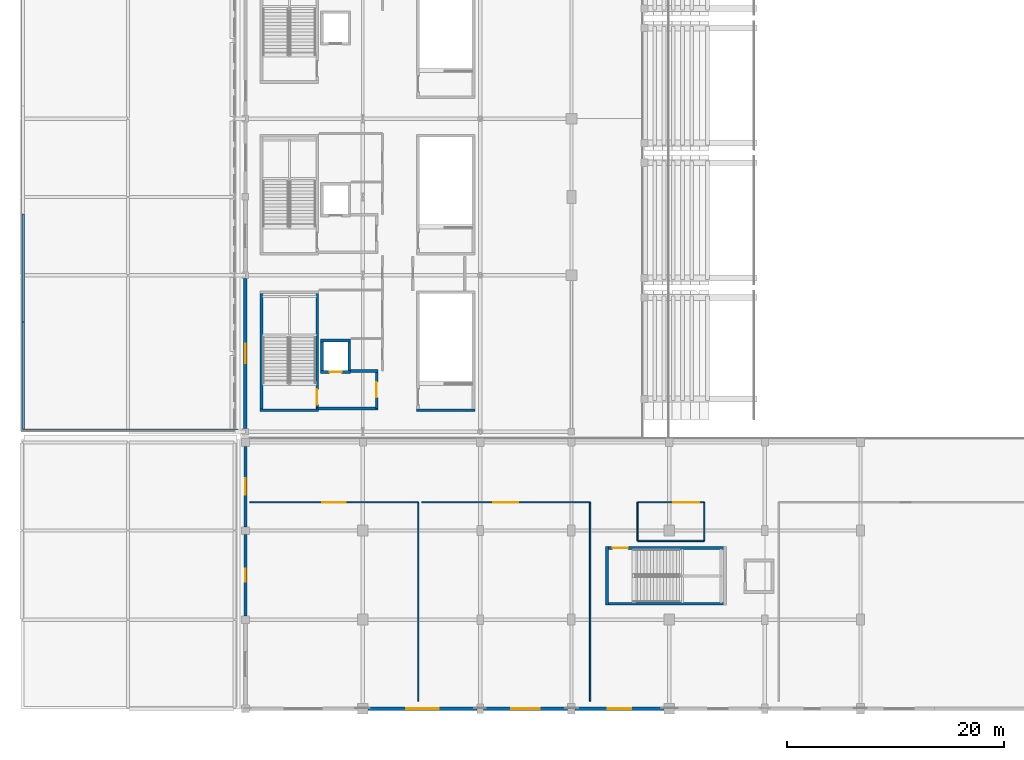
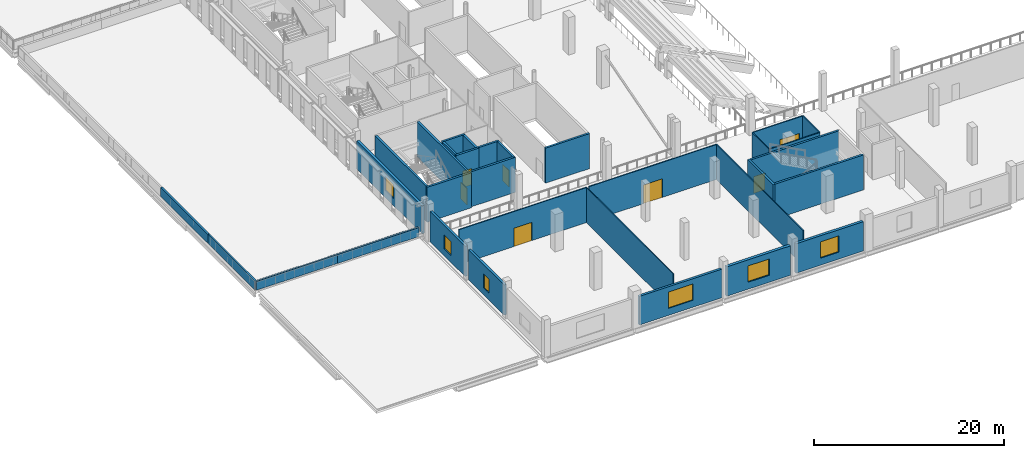
# One storey, part 28 of 74: 32 walls, 7 doors, 6 windows, 13 openings.
"""IFC4 building model written with IfcOpenShell, lengths in metres."""

from ifc_helpers import new_model, si_unit, direction, frame, frame_2d, origin, place, context, subcontext, project, spatial, rectangle, extrude, material, layer, layer_set, type_object, element, fill, save


model = new_model("IFC4")

# Units and contexts
model_context = context("Model", 3, precision=1e-05, world=origin(), true_north=direction((0.0, 1.0)))
body_context = subcontext(model_context, "Body", "Model", "MODEL_VIEW")
ifc_project = project(units=[si_unit("LENGTHUNIT", "METRE"), si_unit("AREAUNIT", "SQUARE_METRE"), si_unit("VOLUMEUNIT", "CUBIC_METRE"), si_unit("PLANEANGLEUNIT", "RADIAN"), si_unit("MASSUNIT", "GRAM", prefix="KILO")], contexts=[model_context])

# Site, building, storey
site_placement = place(None, origin())
site = spatial("IfcSite", under=ifc_project, at=site_placement, CompositionType="ELEMENT")
building_placement = place(site_placement, origin())
building = spatial("IfcBuilding", under=site, at=building_placement, Name="Koshinbarg Plaza Stadium", CompositionType="ELEMENT")
storey_placement = place(building_placement, frame((0.0, 0.0, 15.0)))
storey = spatial("IfcBuildingStorey", under=building, at=storey_placement, Name="L03", CompositionType="ELEMENT", Elevation=15.0)

# Walls
ifc_material_1 = material(Name="Concrete C40/50", Category="concrete")
ifc_layer_1 = layer(ifc_material_1, 0.25)
ifc_layer_set_1 = layer_set([ifc_layer_1], Name="Concrete C40/50")
wall_type_1 = type_object("IfcWallType", Name="WL-CORE-250", PredefinedType="SHEAR", material=ifc_layer_set_1)
wall_1_placement = place(storey_placement, frame((25.949951171875, 27.47509765625, 0.0), z_axis=(0.0, 0.0, 1.0), x_axis=(1.0, 0.0, 0.0)))
element("IfcWall", 1, at=wall_1_placement, inside=storey, type_object=wall_type_1, Name="L03 core stair shear wall C01-near IWL-L03-0013", PredefinedType="SHEAR", context=body_context, shape_type="SweptSolid", body=[
    extrude(rectangle(XDim=5.3701171875, YDim=0.25, at=frame_2d((2.68505859375, 0.0))), origin(), (0.0, 0.0, 1.0), 4.5),
])
wall_2_placement = place(storey_placement, frame((26.074951171875, 27.47509765625, 0.0), z_axis=(0.0, 0.0, 1.0), x_axis=(0.0, 1.0, 0.0)))
element("IfcWall", 2, at=wall_2_placement, inside=storey, type_object=wall_type_1, Name="L03 core stair shear wall C01-left IWL-L03-0015", PredefinedType="SHEAR", context=body_context, shape_type="SweptSolid", body=[
    extrude(rectangle(XDim=10.849853515625, YDim=0.25, at=frame_2d((5.4248046875, 0.0))), origin(), (0.0, 0.0, 1.0), 4.5),
])

# Wall, opening, door
wall_3_placement = place(storey_placement, frame((31.195068359375, 27.47509765625, 0.0), z_axis=(0.0, 0.0, 1.0), x_axis=(0.0, 1.0, 0.0)))
wall_3 = element("IfcWall", 3, at=wall_3_placement, inside=storey, type_object=wall_type_1, Name="L03 core stair shear wall C01-right IWL-L03-0016", PredefinedType="SHEAR", context=body_context, shape_type="SweptSolid", body=[
    extrude(rectangle(XDim=10.849853515625, YDim=0.25, at=frame_2d((5.4248046875, 0.0))), origin(), (0.0, 0.0, 1.0), 4.5),
])
opening_1_placement = place(wall_3_placement, frame((0.52001953125, 0.0, 0.0)))
opening_1 = element("IfcOpeningElement", 4, at=opening_1_placement, cuts=wall_3, Name="Opening D-0064", PredefinedType="OPENING", context=body_context, shape_type="SweptSolid", body=[
    extrude(rectangle(XDim=1.39990234375, YDim=2.14990234375, at=frame_2d((0.699951171875, 1.074951171875))), frame((0.0, 0.135009765625, 0.0), z_axis=(0.0, -1.0, 0.0), x_axis=(1.0, 0.0, 0.0)), (0.0, 0.0, 1.0), 0.27001953125),
])
ifc_material_2 = material(Name="Painted galvanized steel fire door", Category="steel")
door_type_1 = type_object("IfcDoorType", Name="DR-STAIR-1400", OperationType="NOTDEFINED", PredefinedType="DOOR", material=ifc_material_2)
door_1_placement = place(opening_1_placement, origin())
door_1 = element("IfcDoor", 5, at=door_1_placement, inside=storey, type_object=door_type_1, Name="L03 exit stair door C01", OperationType="SINGLE_SWING_RIGHT", OverallHeight=2.14990234375, OverallWidth=1.39990234375, PredefinedType="DOOR", context=body_context, shape_type="SweptSolid", body=[
    extrude(rectangle(XDim=1.39990234375, YDim=2.14990234375, at=frame_2d((0.699951171875, 1.074951171875))), frame((0.0, 0.02490234375, 0.0), z_axis=(0.0, -1.0, 0.0), x_axis=(1.0, 0.0, 0.0)), (0.0, 0.0, 1.0), 0.050048828125),
])
fill(opening_1, door_1)

# Wall
wall_4_placement = place(storey_placement, frame((57.875, 14.919921875, 0.0), z_axis=(0.0, 0.0, 1.0), x_axis=(0.0, -1.0, 0.0)))
element("IfcWall", 6, at=wall_4_placement, inside=storey, type_object=wall_type_1, Name="L03 core stair shear wall C13-near IWL-L03-0302", PredefinedType="SHEAR", context=body_context, shape_type="SweptSolid", body=[
    extrude(rectangle(XDim=5.369873046875, YDim=0.25, at=frame_2d((2.68505859375, 0.0))), origin(), (0.0, 0.0, 1.0), 4.5),
])

# Wall, opening, door
wall_5_placement = place(storey_placement, frame((57.875, 14.794921875, 0.0), z_axis=(0.0, 0.0, 1.0), x_axis=(1.0, 0.0, 0.0)))
wall_5 = element("IfcWall", 7, at=wall_5_placement, inside=storey, type_object=wall_type_1, Name="L03 core stair shear wall C13-left IWL-L03-0304", PredefinedType="SHEAR", context=body_context, shape_type="SweptSolid", body=[
    extrude(rectangle(XDim=10.85009765625, YDim=0.25, at=frame_2d((5.425048828125, 0.0))), origin(), (0.0, 0.0, 1.0), 4.5),
])
opening_2_placement = place(wall_5_placement, frame((0.52001953125, 0.0, 0.0)))
opening_2 = element("IfcOpeningElement", 8, at=opening_2_placement, cuts=wall_5, Name="Opening D-0138", PredefinedType="OPENING", context=body_context, shape_type="SweptSolid", body=[
    extrude(rectangle(XDim=1.39990234375, YDim=2.14990234375, at=frame_2d((0.699951171875, 1.074951171875))), frame((0.0, 0.135009765625, 0.0), z_axis=(0.0, -1.0, 0.0), x_axis=(1.0, 0.0, 0.0)), (0.0, 0.0, 1.0), 0.27001953125),
])
door_2_placement = place(opening_2_placement, frame((1.39990234375, 0.0, 0.0), z_axis=(0.0, 0.0, 1.0), x_axis=(-1.0, 0.0, 0.0)))
door_2 = element("IfcDoor", 9, at=door_2_placement, inside=storey, type_object=door_type_1, Name="L03 exit stair door C13", OperationType="SINGLE_SWING_RIGHT", OverallHeight=2.14990234375, OverallWidth=1.39990234375, PredefinedType="DOOR", context=body_context, shape_type="SweptSolid", body=[
    extrude(rectangle(XDim=1.39990234375, YDim=2.14990234375, at=frame_2d((0.699951171875, 1.074951171875))), frame((0.0, 0.02490234375, 0.0), z_axis=(0.0, -1.0, 0.0), x_axis=(1.0, 0.0, 0.0)), (0.0, 0.0, 1.0), 0.050048828125),
])
fill(opening_2, door_2)

# Walls
wall_6_placement = place(storey_placement, frame((57.875, 9.675048828125, 0.0), z_axis=(0.0, 0.0, 1.0), x_axis=(1.0, 0.0, 0.0)))
element("IfcWall", 10, at=wall_6_placement, inside=storey, type_object=wall_type_1, Name="L03 core stair shear wall C13-right IWL-L03-0305", PredefinedType="SHEAR", context=body_context, shape_type="SweptSolid", body=[
    extrude(rectangle(XDim=10.85009765625, YDim=0.25, at=frame_2d((5.425048828125, 0.0))), origin(), (0.0, 0.0, 1.0), 4.5),
])
wall_7_placement = place(storey_placement, frame((40.35009765625, 27.47509765625, 0.0), z_axis=(0.0, 0.0, 1.0), x_axis=(1.0, 0.0, 0.0)))
element("IfcWall", 11, at=wall_7_placement, inside=storey, type_object=wall_type_1, Name="L03 vomitory stair shear wall VX01-near IWL-L03-0366", PredefinedType="SHEAR", context=body_context, shape_type="SweptSolid", body=[
    extrude(rectangle(XDim=5.369873046875, YDim=0.25, at=frame_2d((2.68505859375, 0.0))), origin(), (0.0, 0.0, 1.0), 4.5),
])

# Wall, opening, door
wall_8_placement = place(storey_placement, frame((31.52490234375, 31.0, 0.0), z_axis=(0.0, 0.0, 1.0), x_axis=(1.0, 0.0, 0.0)))
wall_8 = element("IfcWall", 12, at=wall_8_placement, inside=storey, type_object=wall_type_1, Name="L03 lift shaft shear wall FL01-S IWL-L03-0631", PredefinedType="SHEAR", context=body_context, shape_type="SweptSolid", body=[
    extrude(rectangle(XDim=2.75, YDim=0.25, at=frame_2d((1.375, 0.0))), origin(), (0.0, 0.0, 1.0), 4.5),
])
opening_3_placement = place(wall_8_placement, frame((0.824951171875, 0.0, 0.0)))
opening_3 = element("IfcOpeningElement", 13, at=opening_3_placement, cuts=wall_8, Name="Opening D-0221", PredefinedType="OPENING", context=body_context, shape_type="SweptSolid", body=[
    extrude(rectangle(XDim=1.10009765625, YDim=2.14990234375, at=frame_2d((0.550048828125, 1.074951171875))), frame((0.0, 0.135009765625, 0.0), z_axis=(0.0, -1.0, 0.0), x_axis=(1.0, 0.0, 0.0)), (0.0, 0.0, 1.0), 0.27001953125),
])
ifc_material_3 = material(Name="Brushed stainless steel sliding lift landing door", Category="steel")
door_type_2 = type_object("IfcDoorType", Name="DR-LIFT-1100", OperationType="NOTDEFINED", PredefinedType="DOOR", material=ifc_material_3)
door_3_placement = place(opening_3_placement, origin())
door_3 = element("IfcDoor", 14, at=door_3_placement, inside=storey, type_object=door_type_2, Name="L03 lift landing door FL01", OperationType="SLIDING_TO_RIGHT", OverallHeight=2.14990234375, OverallWidth=1.10009765625, PredefinedType="DOOR", context=body_context, shape_type="SweptSolid", body=[
    extrude(rectangle(XDim=1.10009765625, YDim=2.14990234375, at=frame_2d((0.550048828125, 1.074951171875))), frame((0.0, 0.02490234375, 0.0), z_axis=(0.0, -1.0, 0.0), x_axis=(1.0, 0.0, 0.0)), (0.0, 0.0, 1.0), 0.050048828125),
])
fill(opening_3, door_3)

# Walls
wall_9_placement = place(storey_placement, frame((34.27490234375, 33.89990234375, 0.0), z_axis=(0.0, 0.0, 1.0), x_axis=(-1.0, 0.0, 0.0)))
element("IfcWall", 15, at=wall_9_placement, inside=storey, type_object=wall_type_1, Name="L03 lift shaft shear wall FL01-N IWL-L03-0632", PredefinedType="SHEAR", context=body_context, shape_type="SweptSolid", body=[
    extrude(rectangle(XDim=2.75, YDim=0.25, at=frame_2d((1.375, 0.0))), origin(), (0.0, 0.0, 1.0), 4.5),
])
for number, where, z_axis, x_axis, name in (
    (16, (31.64990234375, 33.89990234375, 0.0), (0.0, 0.0, 1.0), (0.0, -1.0, 0.0), "L03 lift shaft shear wall FL01-W IWL-L03-0633"),
    (17, (34.14990234375, 31.0, 0.0), (0.0, 0.0, 1.0), (0.0, 1.0, 0.0), "L03 lift shaft shear wall FL01-E IWL-L03-0634"),
):
    element("IfcWall", number, at=place(storey_placement, frame(where, z_axis=z_axis, x_axis=x_axis)), inside=storey, type_object=wall_type_1, Name=name, PredefinedType="SHEAR", context=body_context, shape_type="SweptSolid", body=[
        extrude(rectangle(XDim=2.89990234375, YDim=0.25, at=frame_2d((1.449951171875, 0.0))), origin(), (0.0, 0.0, 1.0), 4.5),
    ])

# Wall, opening, door
wall_10_placement = place(storey_placement, frame((36.675048828125, 27.625, 0.0), z_axis=(0.0, 0.0, 1.0), x_axis=(0.0, 1.0, 0.0)))
wall_10 = element("IfcWall", 18, at=wall_10_placement, inside=storey, type_object=wall_type_1, Name="L03 firefighting lobby wall C01-E IWL-L03-0635", PredefinedType="SHEAR", context=body_context, shape_type="SweptSolid", body=[
    extrude(rectangle(XDim=3.449951171875, YDim=0.25, at=frame_2d((1.72509765625, 0.0))), origin(), (0.0, 0.0, 1.0), 4.5),
])
opening_4_placement = place(wall_10_placement, frame((1.02490234375, 0.0, 0.0)))
opening_4 = element("IfcOpeningElement", 19, at=opening_4_placement, cuts=wall_10, Name="Opening D-0222", PredefinedType="OPENING", context=body_context, shape_type="SweptSolid", body=[
    extrude(rectangle(XDim=1.39990234375, YDim=2.14990234375, at=frame_2d((0.699951171875, 1.074951171875))), frame((0.0, 0.135009765625, 0.0), z_axis=(0.0, -1.0, 0.0), x_axis=(1.0, 0.0, 0.0)), (0.0, 0.0, 1.0), 0.27001953125),
])
ifc_material_4 = material(Name="Smoke-sealed steel firefighting lobby door", Category="steel")
door_type_3 = type_object("IfcDoorType", Name="DR-FFLOB-1400", OperationType="NOTDEFINED", PredefinedType="DOOR", material=ifc_material_4)
door_4_placement = place(opening_4_placement, origin())
door_4 = element("IfcDoor", 20, at=door_4_placement, inside=storey, type_object=door_type_3, Name="L03 firefighting lobby fire door C01", OperationType="DOUBLE_DOOR_SINGLE_SWING", OverallHeight=2.14990234375, OverallWidth=1.39990234375, PredefinedType="DOOR", context=body_context, shape_type="SweptSolid", body=[
    extrude(rectangle(XDim=1.39990234375, YDim=2.14990234375, at=frame_2d((0.699951171875, 1.074951171875))), frame((0.0, 0.02490234375, 0.0), z_axis=(0.0, -1.0, 0.0), x_axis=(1.0, 0.0, 0.0)), (0.0, 0.0, 1.0), 0.050048828125),
])
fill(opening_4, door_4)

# Walls
wall_11_placement = place(storey_placement, frame((34.27490234375, 31.074951171875, 0.0), z_axis=(0.0, 0.0, 1.0), x_axis=(1.0, 0.0, 0.0)))
element("IfcWall", 21, at=wall_11_placement, inside=storey, type_object=wall_type_1, Name="L03 firefighting lobby wall C01-NE IWL-L03-0636", PredefinedType="SHEAR", context=body_context, shape_type="SweptSolid", body=[
    extrude(rectangle(XDim=2.525146484375, YDim=0.25, at=frame_2d((1.2626953125, 0.0))), origin(), (0.0, 0.0, 1.0), 4.5),
])
wall_12_placement = place(storey_placement, frame((31.199951171875, 27.625, 0.0), z_axis=(0.0, 0.0, 1.0), x_axis=(1.0, 0.0, 0.0)))
element("IfcWall", 22, at=wall_12_placement, inside=storey, type_object=wall_type_1, Name="L03 firefighting lobby wall C01-S IWL-L03-0637", PredefinedType="SHEAR", context=body_context, shape_type="SweptSolid", body=[
    extrude(rectangle(XDim=5.60009765625, YDim=0.25, at=frame_2d((2.800048828125, 0.0))), origin(), (0.0, 0.0, 1.0), 4.5),
])

# Wall, opening, window
ifc_material_5 = material(Name="Terracotta-ochre mineral plaster insulated wall", Category="masonry")
ifc_layer_2 = layer(ifc_material_5, 0.280029296875)
ifc_layer_set_2 = layer_set([ifc_layer_2], Name="Terracotta-ochre mineral plaster insulated wall")
wall_type_2 = type_object("IfcWallType", Name="WL-EXT-280", PredefinedType="SOLIDWALL", material=ifc_layer_set_2)
wall_13_placement = place(storey_placement, frame((24.60009765625, 8.544921875, 0.0), z_axis=(0.0, 0.0, 1.0), x_axis=(0.0, 1.0, 0.0)))
wall_13 = element("IfcWall", 23, at=wall_13_placement, inside=storey, type_object=wall_type_2, Name="L03 exterior envelope wall EWL-L03-0144", PredefinedType="SOLIDWALL", context=body_context, shape_type="SweptSolid", body=[
    extrude(rectangle(XDim=7.510009765625, YDim=0.280029296875, at=frame_2d((3.7548828125, 0.0))), origin(), (0.0, 0.0, 1.0), 3.8798828125),
])
opening_5_placement = place(wall_13_placement, frame((3.155029296875, 0.0, 0.89990234375)))
opening_5 = element("IfcOpeningElement", 24, at=opening_5_placement, cuts=wall_13, Name="Opening WN07", PredefinedType="OPENING", context=body_context, shape_type="SweptSolid", body=[
    extrude(rectangle(XDim=1.199951171875, YDim=1.800048828125, at=frame_2d((0.60009765625, 0.89990234375))), frame((0.0, 0.14990234375, 0.0), z_axis=(0.0, -1.0, 0.0), x_axis=(1.0, 0.0, 0.0)), (0.0, 0.0, 1.0), 0.300048828125),
])
ifc_material_6 = material(Name="Solar-control double glazing in thermally broken aluminium frame", Category="aluminium")
window_type_1 = type_object("IfcWindowType", Name="WN-FAC-07", PartitioningType="DOUBLE_PANEL_VERTICAL", PredefinedType="WINDOW", material=ifc_material_6)
window_1_placement = place(opening_5_placement, origin())
window_1 = element("IfcWindow", 25, at=window_1_placement, inside=storey, type_object=window_type_1, Name="L03 facade window 0079", OverallHeight=1.800048828125, OverallWidth=1.199951171875, PartitioningType="SINGLE_PANEL", PredefinedType="WINDOW", context=body_context, shape_type="SweptSolid", body=[
    extrude(rectangle(XDim=1.199951171875, YDim=1.800048828125, at=frame_2d((0.60009765625, 0.89990234375))), frame((0.0, 0.030029296875, 0.0), z_axis=(0.0, -1.0, 0.0), x_axis=(1.0, 0.0, 0.0)), (0.0, 0.0, 1.0), 0.06005859375),
])
fill(opening_5, window_1)

wall_14_placement = place(storey_placement, frame((45.905029296875, 0.0, 0.0), z_axis=(0.0, 0.0, 1.0), x_axis=(-1.0, 0.0, 0.0)))
wall_14 = element("IfcWall", 26, at=wall_14_placement, inside=storey, type_object=wall_type_2, Name="L03 exterior envelope wall EWL-L03-0200", PredefinedType="SOLIDWALL", context=body_context, shape_type="SweptSolid", body=[
    extrude(rectangle(XDim=10.010009765625, YDim=0.280029296875, at=frame_2d((5.0048828125, 0.0))), origin(), (0.0, 0.0, 1.0), 3.679931640625),
])
opening_6_placement = place(wall_14_placement, frame((3.5048828125, 0.0, 0.89990234375)))
opening_6 = element("IfcOpeningElement", 27, at=opening_6_placement, cuts=wall_14, Name="Opening WN17", PredefinedType="OPENING", context=body_context, shape_type="SweptSolid", body=[
    extrude(rectangle(XDim=3.0, YDim=2.10009765625, at=frame_2d((1.5, 1.050048828125))), frame((0.0, 0.14990234375, 0.0), z_axis=(0.0, -1.0, 0.0), x_axis=(1.0, 0.0, 0.0)), (0.0, 0.0, 1.0), 0.300048828125),
])
window_type_2 = type_object("IfcWindowType", Name="WN-FAC-17", PartitioningType="DOUBLE_PANEL_VERTICAL", PredefinedType="WINDOW", material=ifc_material_6)
window_2_placement = place(opening_6_placement, origin())
window_2 = element("IfcWindow", 28, at=window_2_placement, inside=storey, type_object=window_type_2, Name="L03 facade window 0133", OverallHeight=2.10009765625, OverallWidth=3.0, PartitioningType="SINGLE_PANEL", PredefinedType="WINDOW", context=body_context, shape_type="SweptSolid", body=[
    extrude(rectangle(XDim=3.0, YDim=2.10009765625, at=frame_2d((1.5, 1.050048828125))), frame((0.0, 0.030029296875, 0.0), z_axis=(0.0, -1.0, 0.0), x_axis=(1.0, 0.0, 0.0)), (0.0, 0.0, 1.0), 0.06005859375),
])
fill(opening_6, window_2)

ifc_material_7 = material(Name="Off-white mineral plaster insulated wall", Category="masonry")
ifc_layer_3 = layer(ifc_material_7, 0.300048828125)
ifc_layer_set_3 = layer_set([ifc_layer_3], Name="Off-white mineral plaster insulated wall")
wall_type_3 = type_object("IfcWallType", Name="WL-EXT-300", PredefinedType="SOLIDWALL", material=ifc_layer_set_3)
wall_15_placement = place(storey_placement, frame((24.60009765625, 16.7451171875, 0.0), z_axis=(0.0, 0.0, 1.0), x_axis=(0.0, 1.0, 0.0)))
wall_15 = element("IfcWall", 29, at=wall_15_placement, inside=storey, type_object=wall_type_3, Name="L03 exterior envelope wall EWL-L03-0145", PredefinedType="SOLIDWALL", context=body_context, shape_type="SweptSolid", body=[
    extrude(rectangle(XDim=7.409912109375, YDim=0.300048828125, at=frame_2d((3.705078125, 0.0))), origin(), (0.0, 0.0, 1.0), 3.8798828125),
])
opening_7_placement = place(wall_15_placement, frame((2.955078125, 0.0, 0.89990234375)))
opening_7 = element("IfcOpeningElement", 30, at=opening_7_placement, cuts=wall_15, Name="Opening WN08", PredefinedType="OPENING", context=body_context, shape_type="SweptSolid", body=[
    extrude(rectangle(XDim=1.5, YDim=1.800048828125, at=frame_2d((0.75, 0.89990234375))), frame((0.0, 0.159912109375, 0.0), z_axis=(0.0, -1.0, 0.0), x_axis=(1.0, 0.0, 0.0)), (0.0, 0.0, 1.0), 0.320068359375),
])
window_type_3 = type_object("IfcWindowType", Name="WN-FAC-08", PartitioningType="DOUBLE_PANEL_VERTICAL", PredefinedType="WINDOW", material=ifc_material_6)
window_3_placement = place(opening_7_placement, origin())
window_3 = element("IfcWindow", 31, at=window_3_placement, inside=storey, type_object=window_type_3, Name="L03 facade window 0080", OverallHeight=1.800048828125, OverallWidth=1.5, PartitioningType="SINGLE_PANEL", PredefinedType="WINDOW", context=body_context, shape_type="SweptSolid", body=[
    extrude(rectangle(XDim=1.5, YDim=1.800048828125, at=frame_2d((0.75, 0.89990234375))), frame((0.0, 0.030029296875, 0.0), z_axis=(0.0, -1.0, 0.0), x_axis=(1.0, 0.0, 0.0)), (0.0, 0.0, 1.0), 0.06005859375),
])
fill(opening_7, window_3)

ifc_material_8 = material(Name="Ultramarine-blue pigmented mineral plaster facade wall", Category="masonry")
ifc_layer_4 = layer(ifc_material_8, 0.320068359375)
ifc_layer_set_4 = layer_set([ifc_layer_4], Name="Ultramarine-blue pigmented mineral plaster facade wall")
wall_type_4 = type_object("IfcWallType", Name="WL-EXT-320", PredefinedType="SOLIDWALL", material=ifc_layer_set_4)
wall_16_placement = place(storey_placement, frame((24.60009765625, 25.794921875, 0.0), z_axis=(0.0, 0.0, 1.0), x_axis=(0.0, 1.0, 0.0)))
wall_16 = element("IfcWall", 32, at=wall_16_placement, inside=storey, type_object=wall_type_4, Name="L03 exterior envelope wall EWL-L03-0146", PredefinedType="SOLIDWALL", context=body_context, shape_type="SweptSolid", body=[
    extrude(rectangle(XDim=13.81005859375, YDim=0.320068359375, at=frame_2d((6.905029296875, 0.0))), origin(), (0.0, 0.0, 1.0), 3.580078125),
])
opening_8_placement = place(wall_16_placement, frame((6.0048828125, 0.0, 0.89990234375)))
opening_8 = element("IfcOpeningElement", 33, at=opening_8_placement, cuts=wall_16, Name="Opening WN09", PredefinedType="OPENING", context=body_context, shape_type="SweptSolid", body=[
    extrude(rectangle(XDim=1.800048828125, YDim=1.800048828125, at=frame_2d((0.89990234375, 0.89990234375))), frame((0.0, 0.169921875, 0.0), z_axis=(0.0, -1.0, 0.0), x_axis=(1.0, 0.0, 0.0)), (0.0, 0.0, 1.0), 0.340087890625),
])
window_type_4 = type_object("IfcWindowType", Name="WN-FAC-09", PartitioningType="DOUBLE_PANEL_VERTICAL", PredefinedType="WINDOW", material=ifc_material_6)
window_4_placement = place(opening_8_placement, origin())
window_4 = element("IfcWindow", 34, at=window_4_placement, inside=storey, type_object=window_type_4, Name="L03 facade window 0081", OverallHeight=1.800048828125, OverallWidth=1.800048828125, PartitioningType="SINGLE_PANEL", PredefinedType="WINDOW", context=body_context, shape_type="SweptSolid", body=[
    extrude(rectangle(XDim=1.800048828125, YDim=1.800048828125, at=frame_2d((0.89990234375, 0.89990234375))), frame((0.0, 0.030029296875, 0.0), z_axis=(0.0, -1.0, 0.0), x_axis=(1.0, 0.0, 0.0)), (0.0, 0.0, 1.0), 0.06005859375),
])
fill(opening_8, window_4)

wall_17_placement = place(storey_placement, frame((63.10498046875, 0.0, 0.0), z_axis=(0.0, 0.0, 1.0), x_axis=(-1.0, 0.0, 0.0)))
wall_17 = element("IfcWall", 35, at=wall_17_placement, inside=storey, type_object=wall_type_4, Name="L03 exterior envelope wall EWL-L03-0198", PredefinedType="SOLIDWALL", context=body_context, shape_type="SweptSolid", body=[
    extrude(rectangle(XDim=8.159912109375, YDim=0.320068359375, at=frame_2d((4.080078125, 0.0))), origin(), (0.0, 0.0, 1.0), 3.780029296875),
])
opening_9_placement = place(wall_17_placement, frame((2.97998046875, 0.0, 0.89990234375)))
opening_9 = element("IfcOpeningElement", 36, at=opening_9_placement, cuts=wall_17, Name="Opening WN15", PredefinedType="OPENING", context=body_context, shape_type="SweptSolid", body=[
    extrude(rectangle(XDim=2.199951171875, YDim=2.10009765625, at=frame_2d((1.10009765625, 1.050048828125))), frame((0.0, 0.169921875, 0.0), z_axis=(0.0, -1.0, 0.0), x_axis=(1.0, 0.0, 0.0)), (0.0, 0.0, 1.0), 0.340087890625),
])
window_type_5 = type_object("IfcWindowType", Name="WN-FAC-15", PartitioningType="DOUBLE_PANEL_VERTICAL", PredefinedType="WINDOW", material=ifc_material_6)
window_5_placement = place(opening_9_placement, origin())
window_5 = element("IfcWindow", 37, at=window_5_placement, inside=storey, type_object=window_type_5, Name="L03 facade window 0131", OverallHeight=2.10009765625, OverallWidth=2.199951171875, PartitioningType="SINGLE_PANEL", PredefinedType="WINDOW", context=body_context, shape_type="SweptSolid", body=[
    extrude(rectangle(XDim=2.199951171875, YDim=2.10009765625, at=frame_2d((1.10009765625, 1.050048828125))), frame((0.0, 0.030029296875, 0.0), z_axis=(0.0, -1.0, 0.0), x_axis=(1.0, 0.0, 0.0)), (0.0, 0.0, 1.0), 0.06005859375),
])
fill(opening_9, window_5)

ifc_material_9 = material(Name="Acoustic insulated masonry stadium wall", Category="masonry")
ifc_layer_5 = layer(ifc_material_9, 0.35009765625)
ifc_layer_set_5 = layer_set([ifc_layer_5], Name="Acoustic insulated masonry stadium wall")
wall_type_5 = type_object("IfcWallType", Name="WL-EXT-350", PredefinedType="SOLIDWALL", material=ifc_layer_set_5)
wall_18_placement = place(storey_placement, frame((54.2548828125, 0.0, 0.0), z_axis=(0.0, 0.0, 1.0), x_axis=(-1.0, 0.0, 0.0)))
wall_18 = element("IfcWall", 38, at=wall_18_placement, inside=storey, type_object=wall_type_5, Name="L03 exterior envelope wall EWL-L03-0199", PredefinedType="SOLIDWALL", context=body_context, shape_type="SweptSolid", body=[
    extrude(rectangle(XDim=7.759765625, YDim=0.35009765625, at=frame_2d((3.8798828125, 0.0))), origin(), (0.0, 0.0, 1.0), 3.780029296875),
])
opening_10_placement = place(wall_18_placement, frame((2.580078125, 0.0, 0.89990234375)))
opening_10 = element("IfcOpeningElement", 39, at=opening_10_placement, cuts=wall_18, Name="Opening WN16", PredefinedType="OPENING", context=body_context, shape_type="SweptSolid", body=[
    extrude(rectangle(XDim=2.60009765625, YDim=2.10009765625, at=frame_2d((1.300048828125, 1.050048828125))), frame((0.0, 0.18505859375, 0.0), z_axis=(0.0, -1.0, 0.0), x_axis=(1.0, 0.0, 0.0)), (0.0, 0.0, 1.0), 0.3701171875),
])
window_type_6 = type_object("IfcWindowType", Name="WN-FAC-16", PartitioningType="DOUBLE_PANEL_VERTICAL", PredefinedType="WINDOW", material=ifc_material_6)
window_6_placement = place(opening_10_placement, origin())
window_6 = element("IfcWindow", 40, at=window_6_placement, inside=storey, type_object=window_type_6, Name="L03 facade window 0132", OverallHeight=2.10009765625, OverallWidth=2.60009765625, PartitioningType="SINGLE_PANEL", PredefinedType="WINDOW", context=body_context, shape_type="SweptSolid", body=[
    extrude(rectangle(XDim=2.60009765625, YDim=2.10009765625, at=frame_2d((1.300048828125, 1.050048828125))), frame((0.0, 0.030029296875, 0.0), z_axis=(0.0, -1.0, 0.0), x_axis=(1.0, 0.0, 0.0)), (0.0, 0.0, 1.0), 0.06005859375),
])
fill(opening_10, window_6)

# Walls
ifc_material_10 = material(Name="Precast concrete C40/50", Category="concrete")
ifc_layer_6 = layer(ifc_material_10, 0.199951171875)
ifc_layer_set_6 = layer_set([ifc_layer_6], Name="Precast concrete C40/50")
wall_type_6 = type_object("IfcWallType", Name="WL-PAR-200", PredefinedType="PARAPET", material=ifc_layer_set_6)
wall_19_placement = place(storey_placement, frame((4.14990234375, 25.64990234375, 0.0), z_axis=(0.0, 0.0, 1.0), x_axis=(1.0, 0.0, 0.0)))
element("IfcWall", 41, at=wall_19_placement, inside=storey, type_object=wall_type_6, Name="L03 roof garden parapet 010", PredefinedType="PARAPET", context=body_context, shape_type="SweptSolid", body=[
    extrude(rectangle(XDim=9.877685546875, YDim=0.199951171875, at=frame_2d((4.93896484375, 0.0))), origin(), (0.0, 0.0, 1.0), 1.14990234375),
])
wall_20_placement = place(storey_placement, frame((4.14990234375, 35.590087890625, 0.0), z_axis=(0.0, 0.0, 1.0), x_axis=(0.0, -1.0, 0.0)))
element("IfcWall", 42, at=wall_20_placement, inside=storey, type_object=wall_type_6, Name="L03 roof garden parapet 018", PredefinedType="PARAPET", context=body_context, shape_type="SweptSolid", body=[
    extrude(rectangle(XDim=9.940185546875, YDim=0.199951171875, at=frame_2d((4.97021484375, 0.0))), origin(), (0.0, 0.0, 1.0), 1.14990234375),
])
ifc_layer_7 = layer(ifc_material_10, 0.219970703125)
ifc_layer_set_7 = layer_set([ifc_layer_7], Name="Precast concrete C40/50")
wall_type_7 = type_object("IfcWallType", Name="WL-PAR-220", PredefinedType="PARAPET", material=ifc_layer_set_7)
wall_21_placement = place(storey_placement, frame((14.027587890625, 25.64990234375, 0.0), z_axis=(0.0, 0.0, 1.0), x_axis=(1.0, 0.0, 0.0)))
element("IfcWall", 43, at=wall_21_placement, inside=storey, type_object=wall_type_7, Name="L03 roof garden parapet 011", PredefinedType="PARAPET", context=body_context, shape_type="SweptSolid", body=[
    extrude(rectangle(XDim=9.87744140625, YDim=0.219970703125, at=frame_2d((4.938720703125, 0.0))), origin(), (0.0, 0.0, 1.0), 1.14990234375),
])
wall_22_placement = place(storey_placement, frame((4.14990234375, 45.530029296875, 0.0), z_axis=(0.0, 0.0, 1.0), x_axis=(0.0, -1.0, 0.0)))
element("IfcWall", 44, at=wall_22_placement, inside=storey, type_object=wall_type_7, Name="L03 roof garden parapet 017", PredefinedType="PARAPET", context=body_context, shape_type="SweptSolid", body=[
    extrude(rectangle(XDim=9.93994140625, YDim=0.219970703125, at=frame_2d((4.969970703125, 0.0))), origin(), (0.0, 0.0, 1.0), 1.14990234375),
])
ifc_material_11 = material(Name="Gypsum board metal-stud acoustic partition")
ifc_layer_8 = layer(ifc_material_11, 0.1201171875)
ifc_layer_set_8 = layer_set([ifc_layer_8], Name="Gypsum board metal-stud acoustic partition")
wall_type_8 = type_object("IfcWallType", Name="WL-PART-120", PredefinedType="PARTITIONING", material=ifc_layer_set_8)
wall_23_placement = place(storey_placement, frame((40.506591796875, 0.699951171875, 0.0), z_axis=(0.0, 0.0, 1.0), x_axis=(0.0, 1.0, 0.0)))
element("IfcWall", 45, at=wall_23_placement, inside=storey, type_object=wall_type_8, Name="L03 interior partition L03-115-east IWL-L03-2052", PredefinedType="PARTITIONING", context=body_context, shape_type="SweptSolid", body=[
    extrude(rectangle(XDim=18.300048828125, YDim=0.1201171875, at=frame_2d((9.14990234375, 0.0))), origin(), (0.0, 0.0, 1.0), 4.5),
])

# Wall, opening, door
wall_24_placement = place(storey_placement, frame((40.506591796875, 19.0, 0.0), z_axis=(0.0, 0.0, 1.0), x_axis=(-1.0, 0.0, 0.0)))
wall_24 = element("IfcWall", 46, at=wall_24_placement, inside=storey, type_object=wall_type_8, Name="L03 interior partition L03-115-north IWL-L03-2053", PredefinedType="PARTITIONING", context=body_context, shape_type="SweptSolid", body=[
    extrude(rectangle(XDim=15.511474609375, YDim=0.1201171875, at=frame_2d((7.755859375, 0.0))), origin(), (0.0, 0.0, 1.0), 4.5),
])
opening_11_placement = place(wall_24_placement, frame((6.67578125, 0.0, 0.0)))
opening_11 = element("IfcOpeningElement", 47, at=opening_11_placement, cuts=wall_24, Name="Opening D-0705", PredefinedType="OPENING", context=body_context, shape_type="SweptSolid", body=[
    extrude(rectangle(XDim=2.159912109375, YDim=2.35009765625, at=frame_2d((1.080078125, 1.175048828125))), frame((0.0, 0.070068359375, 0.0), z_axis=(0.0, -1.0, 0.0), x_axis=(1.0, 0.0, 0.0)), (0.0, 0.0, 1.0), 0.14013671875),
])
ifc_material_12 = material(Name="Galvanized painted steel double leaf door", Category="steel")
door_type_4 = type_object("IfcDoorType", Name="DR-INT-2160x2350", OperationType="NOTDEFINED", PredefinedType="DOOR", material=ifc_material_12)
door_5_placement = place(opening_11_placement, origin())
door_5 = element("IfcDoor", 48, at=door_5_placement, inside=storey, type_object=door_type_4, Name="L03 South Upper Concourse door D-0705", OperationType="DOUBLE_DOOR_SINGLE_SWING", OverallHeight=2.35009765625, OverallWidth=2.159912109375, PredefinedType="DOOR", context=body_context, shape_type="SweptSolid", body=[
    extrude(rectangle(XDim=2.159912109375, YDim=2.35009765625, at=frame_2d((1.080078125, 1.175048828125))), frame((0.0, 0.02490234375, 0.0), z_axis=(0.0, -1.0, 0.0), x_axis=(1.0, 0.0, 0.0)), (0.0, 0.0, 1.0), 0.050048828125),
])
fill(opening_11, door_5)

# Wall
wall_25_placement = place(storey_placement, frame((56.318359375, 0.699951171875, 0.0), z_axis=(0.0, 0.0, 1.0), x_axis=(0.0, 1.0, 0.0)))
element("IfcWall", 49, at=wall_25_placement, inside=storey, type_object=wall_type_8, Name="L03 interior partition L03-116-east IWL-L03-2054", PredefinedType="PARTITIONING", context=body_context, shape_type="SweptSolid", body=[
    extrude(rectangle(XDim=18.300048828125, YDim=0.1201171875, at=frame_2d((9.14990234375, 0.0))), origin(), (0.0, 0.0, 1.0), 4.5),
])

# Wall, opening, door
wall_26_placement = place(storey_placement, frame((56.318359375, 19.0, 0.0), z_axis=(0.0, 0.0, 1.0), x_axis=(-1.0, 0.0, 0.0)))
wall_26 = element("IfcWall", 50, at=wall_26_placement, inside=storey, type_object=wall_type_8, Name="L03 interior partition L03-116-north IWL-L03-2055", PredefinedType="PARTITIONING", context=body_context, shape_type="SweptSolid", body=[
    extrude(rectangle(XDim=15.51171875, YDim=0.1201171875, at=frame_2d((7.755859375, 0.0))), origin(), (0.0, 0.0, 1.0), 4.5),
])
opening_12_placement = place(wall_26_placement, frame((6.61572265625, 0.0, 0.0)))
opening_12 = element("IfcOpeningElement", 51, at=opening_12_placement, cuts=wall_26, Name="Opening D-0706", PredefinedType="OPENING", context=body_context, shape_type="SweptSolid", body=[
    extrude(rectangle(XDim=2.280029296875, YDim=2.39990234375, at=frame_2d((1.14013671875, 1.199951171875))), frame((0.0, 0.070068359375, 0.0), z_axis=(0.0, -1.0, 0.0), x_axis=(1.0, 0.0, 0.0)), (0.0, 0.0, 1.0), 0.14013671875),
])
ifc_material_13 = material(Name="Anodised aluminium and laminated glass portal door", Category="aluminium")
door_type_5 = type_object("IfcDoorType", Name="DR-INT-2280x2400", OperationType="NOTDEFINED", PredefinedType="DOOR", material=ifc_material_13)
door_6_placement = place(opening_12_placement, origin())
door_6 = element("IfcDoor", 52, at=door_6_placement, inside=storey, type_object=door_type_5, Name="L03 Press Dining Hall door D-0706", OperationType="DOUBLE_DOOR_SINGLE_SWING", OverallHeight=2.39990234375, OverallWidth=2.280029296875, PredefinedType="DOOR", context=body_context, shape_type="SweptSolid", body=[
    extrude(rectangle(XDim=2.280029296875, YDim=2.39990234375, at=frame_2d((1.14013671875, 1.199951171875))), frame((0.0, 0.02490234375, 0.0), z_axis=(0.0, -1.0, 0.0), x_axis=(1.0, 0.0, 0.0)), (0.0, 0.0, 1.0), 0.050048828125),
])
fill(opening_12, door_6)

# Walls
wall_27_placement = place(storey_placement, frame((60.679931640625, 15.449951171875, 0.0), z_axis=(0.0, 0.0, 1.0), x_axis=(1.0, 0.0, 0.0)))
element("IfcWall", 53, at=wall_27_placement, inside=storey, type_object=wall_type_8, Name="L03 interior partition L03-117-south IWL-L03-2056", PredefinedType="PARTITIONING", context=body_context, shape_type="SweptSolid", body=[
    extrude(rectangle(XDim=6.14013671875, YDim=0.1201171875, at=frame_2d((3.070068359375, 0.0))), origin(), (0.0, 0.0, 1.0), 4.5),
])
wall_28_placement = place(storey_placement, frame((66.820068359375, 15.449951171875, 0.0), z_axis=(0.0, 0.0, 1.0), x_axis=(0.0, 1.0, 0.0)))
element("IfcWall", 54, at=wall_28_placement, inside=storey, type_object=wall_type_8, Name="L03 interior partition L03-117-east IWL-L03-2057", PredefinedType="PARTITIONING", context=body_context, shape_type="SweptSolid", body=[
    extrude(rectangle(XDim=3.550048828125, YDim=0.1201171875, at=frame_2d((1.77490234375, 0.0))), origin(), (0.0, 0.0, 1.0), 4.5),
])

# Wall, opening, door
wall_29_placement = place(storey_placement, frame((66.820068359375, 19.0, 0.0), z_axis=(0.0, 0.0, 1.0), x_axis=(-1.0, 0.0, 0.0)))
wall_29 = element("IfcWall", 55, at=wall_29_placement, inside=storey, type_object=wall_type_8, Name="L03 interior partition L03-117-north IWL-L03-2058", PredefinedType="PARTITIONING", context=body_context, shape_type="SweptSolid", body=[
    extrude(rectangle(XDim=6.14013671875, YDim=0.1201171875, at=frame_2d((3.070068359375, 0.0))), origin(), (0.0, 0.0, 1.0), 4.5),
])
opening_13_placement = place(wall_29_placement, frame((0.47314453125, 0.0, 0.0)))
opening_13 = element("IfcOpeningElement", 56, at=opening_13_placement, cuts=wall_29, Name="Opening D-0707", PredefinedType="OPENING", context=body_context, shape_type="SweptSolid", body=[
    extrude(rectangle(XDim=2.360107421875, YDim=2.39990234375, at=frame_2d((1.18017578125, 1.199951171875))), frame((0.0, 0.070068359375, 0.0), z_axis=(0.0, -1.0, 0.0), x_axis=(1.0, 0.0, 0.0)), (0.0, 0.0, 1.0), 0.14013671875),
])
ifc_material_14 = material(Name="Powder-coated steel and tempered glass double door", Category="steel")
door_type_6 = type_object("IfcDoorType", Name="DR-INT-2360x2400", OperationType="NOTDEFINED", PredefinedType="DOOR", material=ifc_material_14)
door_7_placement = place(opening_13_placement, origin())
door_7 = element("IfcDoor", 57, at=door_7_placement, inside=storey, type_object=door_type_6, Name="L03 Accredited Photographers Lounge door D-0707", OperationType="DOUBLE_DOOR_SINGLE_SWING", OverallHeight=2.39990234375, OverallWidth=2.360107421875, PredefinedType="DOOR", context=body_context, shape_type="SweptSolid", body=[
    extrude(rectangle(XDim=2.360107421875, YDim=2.39990234375, at=frame_2d((1.18017578125, 1.199951171875))), frame((0.0, 0.02490234375, 0.0), z_axis=(0.0, -1.0, 0.0), x_axis=(1.0, 0.0, 0.0)), (0.0, 0.0, 1.0), 0.050048828125),
])
fill(opening_13, door_7)

# Wall
wall_30_placement = place(storey_placement, frame((60.679931640625, 19.0, 0.0), z_axis=(0.0, 0.0, 1.0), x_axis=(0.0, -1.0, 0.0)))
element("IfcWall", 58, at=wall_30_placement, inside=storey, type_object=wall_type_8, Name="L03 interior partition L03-117-west IWL-L03-2059", PredefinedType="PARTITIONING", context=body_context, shape_type="SweptSolid", body=[
    extrude(rectangle(XDim=3.550048828125, YDim=0.1201171875, at=frame_2d((1.77490234375, 0.0))), origin(), (0.0, 0.0, 1.0), 4.5),
])

save(model, "model.ifc")
